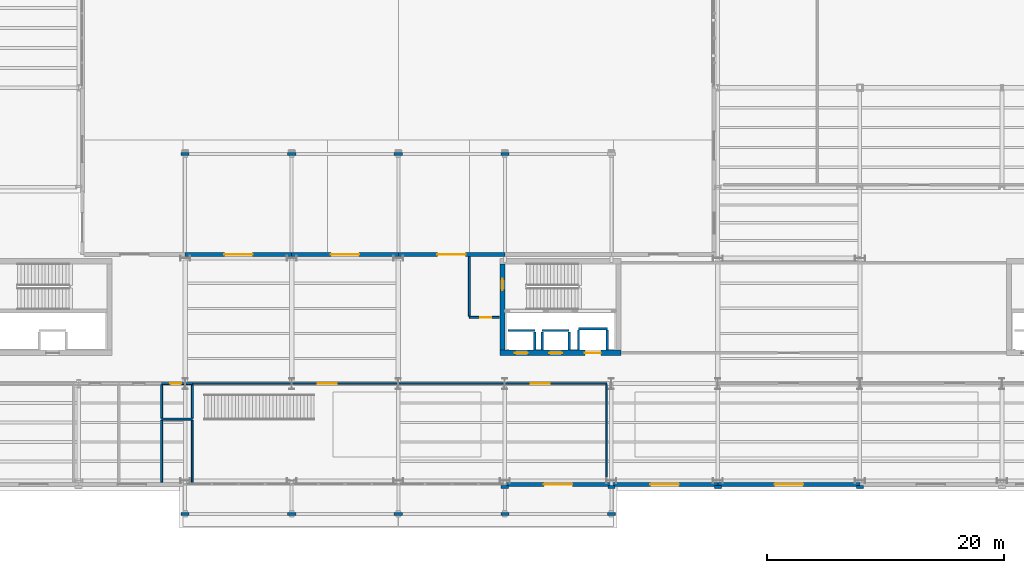
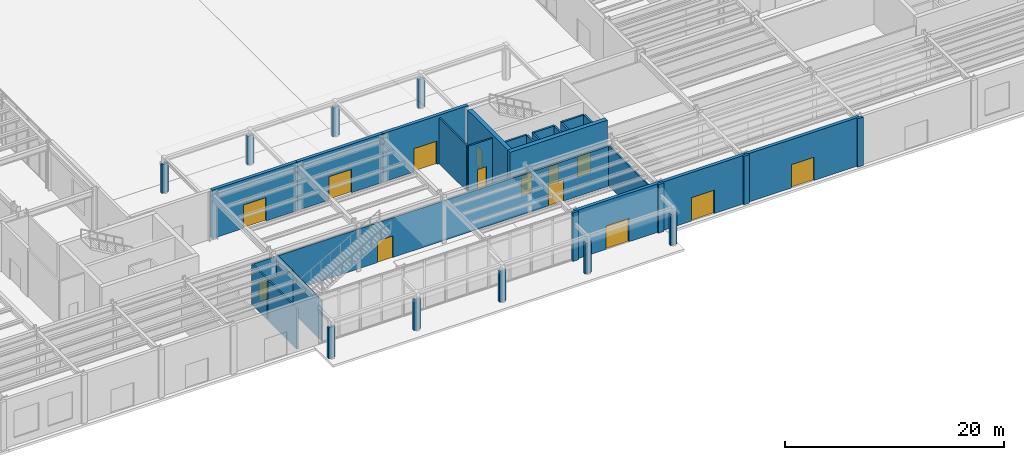
# One storey, part 73 of 94: 39 walls, 14 doors, 14 openings.
"""IFC4 building model written with IfcOpenShell, lengths in metres."""

from ifc_helpers import new_model, si_unit, direction, frame, frame_2d, origin, place, context, subcontext, project, spatial, rectangle, extrude, material, layer, layer_set, type_object, element, fill, save


model = new_model("IFC4")

# Units and contexts
model_context = context("Model", 3, precision=1e-05, world=origin(), true_north=direction((0.0, 1.0)))
body_context = subcontext(model_context, "Body", "Model", "MODEL_VIEW")
ifc_project = project(units=[si_unit("LENGTHUNIT", "METRE"), si_unit("AREAUNIT", "SQUARE_METRE"), si_unit("VOLUMEUNIT", "CUBIC_METRE"), si_unit("PLANEANGLEUNIT", "RADIAN"), si_unit("MASSUNIT", "GRAM", prefix="KILO")], contexts=[model_context])

# Site, building, storey
site_placement = place(None, origin())
site = spatial("IfcSite", under=ifc_project, at=site_placement, CompositionType="ELEMENT")
building_placement = place(site_placement, origin())
building = spatial("IfcBuilding", under=site, at=building_placement, Name="Sollismere Congress Hotel", CompositionType="ELEMENT")
storey_placement = place(building_placement, origin())
storey = spatial("IfcBuildingStorey", under=building, at=storey_placement, Name="L00", CompositionType="ELEMENT", Elevation=0.0)

# Wall, opening, door
ifc_material_1 = material(Name="Colorado Buff Sandstone and Limestone Backup C40/50", Category="masonry")
ifc_layer_1 = layer(ifc_material_1, 0.340087890625, Name="Colorado Buff Sandstone and Limestone Backup C40/50")
ifc_layer_set_1 = layer_set([ifc_layer_1], Name="Colorado Buff Sandstone and Limestone Backup C40/50")
wall_type_1 = type_object("IfcWallType", Name="WL-EXT340", PredefinedType="STANDARD", material=ifc_layer_set_1)
wall_1_placement = place(storey_placement, frame((94.0, -0.31005859375, 0.0), z_axis=(0.0, 0.0, 1.0), x_axis=(1.0, 0.0, 0.0)))
wall_1 = element("IfcWall", 1, at=wall_1_placement, inside=storey, type_object=wall_type_1, Name="Exterior wall EW-L00-234", PredefinedType="STANDARD", context=body_context, shape_type="SweptSolid", body=[
    extrude(rectangle(XDim=9.0, YDim=0.340087890625, at=frame_2d((4.5, 0.0))), origin(), (0.0, 0.0, 1.0), 5.39990234375),
])
opening_1_placement = place(wall_1_placement, frame((3.300048828125, 0.0, 0.0)))
opening_1 = element("IfcOpeningElement", 2, at=opening_1_placement, cuts=wall_1, Name="Opening D-L00-E19", PredefinedType="OPENING", context=body_context, shape_type="SweptSolid", body=[
    extrude(rectangle(XDim=2.39990234375, YDim=2.60009765625, at=frame_2d((1.199951171875, 1.300048828125))), frame((0.0, 0.179931640625, 0.0), z_axis=(0.0, -1.0, 0.0), x_axis=(1.0, 0.0, 0.0)), (0.0, 0.0, 1.0), 0.360107421875),
])
ifc_material_2 = material(Name="Thermally Broken Bronze-Anodized Aluminum & Laminated Glass", Category="aluminium")
door_type_1 = type_object("IfcDoorType", Name="DR-EX240", OperationType="DOUBLE_DOOR_SINGLE_SWING", PredefinedType="DOOR", material=ifc_material_2)
door_1_placement = place(opening_1_placement, frame((2.39990234375, 0.0, 0.0), z_axis=(0.0, 0.0, 1.0), x_axis=(-1.0, 0.0, 0.0)))
door_1 = element("IfcDoor", 3, at=door_1_placement, inside=storey, type_object=door_type_1, Name="DOR-D-L00-E19", OperationType="DOUBLE_DOOR_SINGLE_SWING", OverallHeight=2.60009765625, OverallWidth=2.39990234375, PredefinedType="DOOR", context=body_context, shape_type="SweptSolid", body=[
    extrude(rectangle(XDim=2.39990234375, YDim=2.60009765625, at=frame_2d((1.199951171875, 1.300048828125))), frame((0.0, 0.02490234375, 0.0), z_axis=(0.0, -1.0, 0.0), x_axis=(1.0, 0.0, 0.0)), (0.0, 0.0, 1.0), 0.050048828125),
])
fill(opening_1, door_1)

wall_2_placement = place(storey_placement, frame((103.0, -0.31005859375, 0.0), z_axis=(0.0, 0.0, 1.0), x_axis=(1.0, 0.0, 0.0)))
wall_2 = element("IfcWall", 4, at=wall_2_placement, inside=storey, type_object=wall_type_1, Name="Exterior wall EW-L00-236", PredefinedType="STANDARD", context=body_context, shape_type="SweptSolid", body=[
    extrude(rectangle(XDim=9.0, YDim=0.340087890625, at=frame_2d((4.5, 0.0))), origin(), (0.0, 0.0, 1.0), 5.39990234375),
])
opening_2_placement = place(wall_2_placement, frame((3.300048828125, 0.0, 0.0)))
opening_2 = element("IfcOpeningElement", 5, at=opening_2_placement, cuts=wall_2, Name="Opening D-L00-E20", PredefinedType="OPENING", context=body_context, shape_type="SweptSolid", body=[
    extrude(rectangle(XDim=2.39990234375, YDim=2.60009765625, at=frame_2d((1.199951171875, 1.300048828125))), frame((0.0, 0.179931640625, 0.0), z_axis=(0.0, -1.0, 0.0), x_axis=(1.0, 0.0, 0.0)), (0.0, 0.0, 1.0), 0.360107421875),
])
door_2_placement = place(opening_2_placement, frame((2.39990234375, 0.0, 0.0), z_axis=(0.0, 0.0, 1.0), x_axis=(-1.0, 0.0, 0.0)))
door_2 = element("IfcDoor", 6, at=door_2_placement, inside=storey, type_object=door_type_1, Name="DOR-D-L00-E20", OperationType="DOUBLE_DOOR_SINGLE_SWING", OverallHeight=2.60009765625, OverallWidth=2.39990234375, PredefinedType="DOOR", context=body_context, shape_type="SweptSolid", body=[
    extrude(rectangle(XDim=2.39990234375, YDim=2.60009765625, at=frame_2d((1.199951171875, 1.300048828125))), frame((0.0, 0.02490234375, 0.0), z_axis=(0.0, -1.0, 0.0), x_axis=(1.0, 0.0, 0.0)), (0.0, 0.0, 1.0), 0.050048828125),
])
fill(opening_2, door_2)

wall_3_placement = place(storey_placement, frame((112.0, -0.31005859375, 0.0), z_axis=(0.0, 0.0, 1.0), x_axis=(1.0, 0.0, 0.0)))
wall_3 = element("IfcWall", 7, at=wall_3_placement, inside=storey, type_object=wall_type_1, Name="Exterior wall EW-L00-238", PredefinedType="STANDARD", context=body_context, shape_type="SweptSolid", body=[
    extrude(rectangle(XDim=12.0, YDim=0.340087890625, at=frame_2d((6.0, 0.0))), origin(), (0.0, 0.0, 1.0), 5.39990234375),
])
opening_3_placement = place(wall_3_placement, frame((4.800048828125, 0.0, 0.0)))
opening_3 = element("IfcOpeningElement", 8, at=opening_3_placement, cuts=wall_3, Name="Opening D-L00-E21", PredefinedType="OPENING", context=body_context, shape_type="SweptSolid", body=[
    extrude(rectangle(XDim=2.39990234375, YDim=2.60009765625, at=frame_2d((1.199951171875, 1.300048828125))), frame((0.0, 0.179931640625, 0.0), z_axis=(0.0, -1.0, 0.0), x_axis=(1.0, 0.0, 0.0)), (0.0, 0.0, 1.0), 0.360107421875),
])
door_3_placement = place(opening_3_placement, frame((2.39990234375, 0.0, 0.0), z_axis=(0.0, 0.0, 1.0), x_axis=(-1.0, 0.0, 0.0)))
door_3 = element("IfcDoor", 9, at=door_3_placement, inside=storey, type_object=door_type_1, Name="DOR-D-L00-E21", OperationType="DOUBLE_DOOR_SINGLE_SWING", OverallHeight=2.60009765625, OverallWidth=2.39990234375, PredefinedType="DOOR", context=body_context, shape_type="SweptSolid", body=[
    extrude(rectangle(XDim=2.39990234375, YDim=2.60009765625, at=frame_2d((1.199951171875, 1.300048828125))), frame((0.0, 0.02490234375, 0.0), z_axis=(0.0, -1.0, 0.0), x_axis=(1.0, 0.0, 0.0)), (0.0, 0.0, 1.0), 0.050048828125),
])
fill(opening_3, door_3)

wall_4_placement = place(storey_placement, frame((76.0, 19.110107421875, 0.0), z_axis=(0.0, 0.0, 1.0), x_axis=(-1.0, 0.0, 0.0)))
wall_4 = element("IfcWall", 10, at=wall_4_placement, inside=storey, type_object=wall_type_1, Name="Exterior wall EW-L00-265", PredefinedType="STANDARD", context=body_context, shape_type="SweptSolid", body=[
    extrude(rectangle(XDim=9.0, YDim=0.340087890625, at=frame_2d((4.5, 0.0))), origin(), (0.0, 0.0, 1.0), 5.39990234375),
])
opening_4_placement = place(wall_4_placement, frame((3.300048828125, 0.0, 0.0)))
opening_4 = element("IfcOpeningElement", 11, at=opening_4_placement, cuts=wall_4, Name="Opening D-L00-E26", PredefinedType="OPENING", context=body_context, shape_type="SweptSolid", body=[
    extrude(rectangle(XDim=2.39990234375, YDim=2.60009765625, at=frame_2d((1.199951171875, 1.300048828125))), frame((0.0, 0.179931640625, 0.0), z_axis=(0.0, -1.0, 0.0), x_axis=(1.0, 0.0, 0.0)), (0.0, 0.0, 1.0), 0.360107421875),
])
door_4_placement = place(opening_4_placement, origin())
door_4 = element("IfcDoor", 12, at=door_4_placement, inside=storey, type_object=door_type_1, Name="DOR-D-L00-E26", OperationType="DOUBLE_DOOR_SINGLE_SWING", OverallHeight=2.60009765625, OverallWidth=2.39990234375, PredefinedType="DOOR", context=body_context, shape_type="SweptSolid", body=[
    extrude(rectangle(XDim=2.39990234375, YDim=2.60009765625, at=frame_2d((1.199951171875, 1.300048828125))), frame((0.0, 0.02490234375, 0.0), z_axis=(0.0, -1.0, 0.0), x_axis=(1.0, 0.0, 0.0)), (0.0, 0.0, 1.0), 0.050048828125),
])
fill(opening_4, door_4)

wall_5_placement = place(storey_placement, frame((85.0, 19.110107421875, 0.0), z_axis=(0.0, 0.0, 1.0), x_axis=(-1.0, 0.0, 0.0)))
wall_5 = element("IfcWall", 13, at=wall_5_placement, inside=storey, type_object=wall_type_1, Name="Exterior wall EW-L00-266", PredefinedType="STANDARD", context=body_context, shape_type="SweptSolid", body=[
    extrude(rectangle(XDim=9.0, YDim=0.340087890625, at=frame_2d((4.5, 0.0))), origin(), (0.0, 0.0, 1.0), 5.39990234375),
])
opening_5_placement = place(wall_5_placement, frame((3.300048828125, 0.0, 0.0)))
opening_5 = element("IfcOpeningElement", 14, at=opening_5_placement, cuts=wall_5, Name="Opening D-L00-E27", PredefinedType="OPENING", context=body_context, shape_type="SweptSolid", body=[
    extrude(rectangle(XDim=2.39990234375, YDim=2.60009765625, at=frame_2d((1.199951171875, 1.300048828125))), frame((0.0, 0.179931640625, 0.0), z_axis=(0.0, -1.0, 0.0), x_axis=(1.0, 0.0, 0.0)), (0.0, 0.0, 1.0), 0.360107421875),
])
door_5_placement = place(opening_5_placement, origin())
door_5 = element("IfcDoor", 15, at=door_5_placement, inside=storey, type_object=door_type_1, Name="DOR-D-L00-E27", OperationType="DOUBLE_DOOR_SINGLE_SWING", OverallHeight=2.60009765625, OverallWidth=2.39990234375, PredefinedType="DOOR", context=body_context, shape_type="SweptSolid", body=[
    extrude(rectangle(XDim=2.39990234375, YDim=2.60009765625, at=frame_2d((1.199951171875, 1.300048828125))), frame((0.0, 0.02490234375, 0.0), z_axis=(0.0, -1.0, 0.0), x_axis=(1.0, 0.0, 0.0)), (0.0, 0.0, 1.0), 0.050048828125),
])
fill(opening_5, door_5)

wall_6_placement = place(storey_placement, frame((94.0, 19.110107421875, 0.0), z_axis=(0.0, 0.0, 1.0), x_axis=(-1.0, 0.0, 0.0)))
wall_6 = element("IfcWall", 16, at=wall_6_placement, inside=storey, type_object=wall_type_1, Name="Exterior wall EW-L00-267", PredefinedType="STANDARD", context=body_context, shape_type="SweptSolid", body=[
    extrude(rectangle(XDim=9.0, YDim=0.340087890625, at=frame_2d((4.5, 0.0))), origin(), (0.0, 0.0, 1.0), 5.39990234375),
])
opening_6_placement = place(wall_6_placement, frame((3.300048828125, 0.0, 0.0)))
opening_6 = element("IfcOpeningElement", 17, at=opening_6_placement, cuts=wall_6, Name="Opening D-L00-E28", PredefinedType="OPENING", context=body_context, shape_type="SweptSolid", body=[
    extrude(rectangle(XDim=2.39990234375, YDim=2.60009765625, at=frame_2d((1.199951171875, 1.300048828125))), frame((0.0, 0.179931640625, 0.0), z_axis=(0.0, -1.0, 0.0), x_axis=(1.0, 0.0, 0.0)), (0.0, 0.0, 1.0), 0.360107421875),
])
door_6_placement = place(opening_6_placement, origin())
door_6 = element("IfcDoor", 18, at=door_6_placement, inside=storey, type_object=door_type_1, Name="DOR-D-L00-E28", OperationType="DOUBLE_DOOR_SINGLE_SWING", OverallHeight=2.60009765625, OverallWidth=2.39990234375, PredefinedType="DOOR", context=body_context, shape_type="SweptSolid", body=[
    extrude(rectangle(XDim=2.39990234375, YDim=2.60009765625, at=frame_2d((1.199951171875, 1.300048828125))), frame((0.0, 0.02490234375, 0.0), z_axis=(0.0, -1.0, 0.0), x_axis=(1.0, 0.0, 0.0)), (0.0, 0.0, 1.0), 0.050048828125),
])
fill(opening_6, door_6)

# Walls
ifc_material_3 = material(Name="Carved Travertine Pilaster & Frieze Assembly", Category="masonry")
ifc_layer_2 = layer(ifc_material_3, 0.260009765625, Name="Carved Travertine Pilaster & Frieze Assembly")
ifc_layer_set_2 = layer_set([ifc_layer_2], Name="Carved Travertine Pilaster & Frieze Assembly")
wall_type_2 = type_object("IfcWallType", Name="WL-PIL280", PredefinedType="ELEMENTEDWALL", material=ifc_layer_set_2)
for number, where, z_axis, x_axis, name in (
    (19, (66.659912109375, 27.60009765625, 0.0), (0.0, 0.0, 1.0), (1.0, 0.0, 0.0), "Exterior wall EW-L00-216"),
    (20, (75.659912109375, 27.60009765625, 0.0), (0.0, 0.0, 1.0), (1.0, 0.0, 0.0), "Exterior wall EW-L00-217"),
    (21, (84.659912109375, 27.60009765625, 0.0), (0.0, 0.0, 1.0), (1.0, 0.0, 0.0), "Exterior wall EW-L00-218"),
    (22, (93.659912109375, 27.60009765625, 0.0), (0.0, 0.0, 1.0), (1.0, 0.0, 0.0), "Exterior wall EW-L00-219"),
):
    element("IfcWall", number, at=place(storey_placement, frame(where, z_axis=z_axis, x_axis=x_axis)), inside=storey, type_object=wall_type_2, Name=name, PredefinedType="ELEMENTEDWALL", context=body_context, shape_type="SweptSolid", body=[
        extrude(rectangle(XDim=0.68017578125, YDim=0.260009765625, at=frame_2d((0.340087890625, 0.0))), origin(), (0.0, 0.0, 1.0), 3.179931640625),
    ])
for number, where, z_axis, x_axis, name in (
    (23, (66.659912109375, -2.800048828125, 0.0), (0.0, 0.0, 1.0), (1.0, 0.0, 0.0), "Exterior wall EW-L00-221"),
    (24, (75.659912109375, -2.800048828125, 0.0), (0.0, 0.0, 1.0), (1.0, 0.0, 0.0), "Exterior wall EW-L00-222"),
    (25, (84.659912109375, -2.800048828125, 0.0), (0.0, 0.0, 1.0), (1.0, 0.0, 0.0), "Exterior wall EW-L00-223"),
    (26, (93.659912109375, -2.800048828125, 0.0), (0.0, 0.0, 1.0), (1.0, 0.0, 0.0), "Exterior wall EW-L00-224"),
    (27, (102.659912109375, -2.800048828125, 0.0), (0.0, 0.0, 1.0), (1.0, 0.0, 0.0), "Exterior wall EW-L00-225"),
):
    element("IfcWall", number, at=place(storey_placement, frame(where, z_axis=z_axis, x_axis=x_axis)), inside=storey, type_object=wall_type_2, Name=name, PredefinedType="ELEMENTEDWALL", context=body_context, shape_type="SweptSolid", body=[
        extrude(rectangle(XDim=0.68017578125, YDim=0.260009765625, at=frame_2d((0.340087890625, 0.0))), origin(), (0.0, 0.0, 1.0), 3.449951171875),
    ])
for number, where, z_axis, x_axis, name in (
    (28, (93.699951171875, -0.52001953125, 0.0), (0.0, 0.0, 1.0), (1.0, 0.0, 0.0), "Exterior wall EW-L00-235"),
    (29, (102.699951171875, -0.52001953125, 0.0), (0.0, 0.0, 1.0), (1.0, 0.0, 0.0), "Exterior wall EW-L00-237"),
    (30, (111.699951171875, -0.52001953125, 0.0), (0.0, 0.0, 1.0), (1.0, 0.0, 0.0), "Exterior wall EW-L00-239"),
    (31, (123.699951171875, -0.52001953125, 0.0), (0.0, 0.0, 1.0), (1.0, 0.0, 0.0), "Exterior wall EW-L00-241"),
):
    element("IfcWall", number, at=place(storey_placement, frame(where, z_axis=z_axis, x_axis=x_axis)), inside=storey, type_object=wall_type_2, Name=name, PredefinedType="ELEMENTEDWALL", context=body_context, shape_type="SweptSolid", body=[
        extrude(rectangle(XDim=0.60009765625, YDim=0.260009765625, at=frame_2d((0.300048828125, 0.0))), origin(), (0.0, 0.0, 1.0), 5.39990234375),
    ])
ifc_material_4 = material(Name="Moisture-Resistant Shaft Gypsum Assembly")
ifc_layer_3 = layer(ifc_material_4, 0.199951171875, Name="Moisture-Resistant Shaft Gypsum Assembly")
ifc_layer_set_3 = layer_set([ifc_layer_3], Name="Moisture-Resistant Shaft Gypsum Assembly")
wall_type_3 = type_object("IfcWallType", Name="WL-PLM200", PredefinedType="PLUMBINGWALL", material=ifc_layer_set_3)
wall_7_placement = place(storey_placement, frame((94.2548828125, 12.68994140625, 0.0), z_axis=(0.0, 0.0, 1.0), x_axis=(1.0, 0.0, 0.0)))
element("IfcWall", 32, at=wall_7_placement, inside=storey, type_object=wall_type_3, Name="Interior wall IW-L00-0227", PredefinedType="PLUMBINGWALL", context=body_context, shape_type="SweptSolid", body=[
    extrude(rectangle(XDim=2.2900390625, YDim=0.199951171875, at=frame_2d((1.14501953125, 0.0))), origin(), (0.0, 0.0, 1.0), 5.090087890625),
])
wall_8_placement = place(storey_placement, frame((96.544921875, 11.037109375, 0.0), z_axis=(0.0, 0.0, 1.0), x_axis=(0.0, 1.0, 0.0)))
element("IfcWall", 33, at=wall_8_placement, inside=storey, type_object=wall_type_3, Name="Interior wall IW-L00-0228", PredefinedType="PLUMBINGWALL", context=body_context, shape_type="SweptSolid", body=[
    extrude(rectangle(XDim=1.540771484375, YDim=0.199951171875, at=frame_2d((0.7705078125, 0.0))), origin(), (0.0, 0.0, 1.0), 5.090087890625),
])
wall_9_placement = place(storey_placement, frame((97.155029296875, 12.68994140625, 0.0), z_axis=(0.0, 0.0, 1.0), x_axis=(1.0, 0.0, 0.0)))
element("IfcWall", 34, at=wall_9_placement, inside=storey, type_object=wall_type_3, Name="Interior wall IW-L00-0229", PredefinedType="PLUMBINGWALL", context=body_context, shape_type="SweptSolid", body=[
    extrude(rectangle(XDim=2.2900390625, YDim=0.199951171875, at=frame_2d((1.14501953125, 0.0))), origin(), (0.0, 0.0, 1.0), 5.090087890625),
])
for number, where, z_axis, x_axis, name in (
    (35, (97.155029296875, 11.037109375, 0.0), (0.0, 0.0, 1.0), (0.0, 1.0, 0.0), "Interior wall IW-L00-0230"),
    (36, (99.445068359375, 11.037109375, 0.0), (0.0, 0.0, 1.0), (0.0, 1.0, 0.0), "Interior wall IW-L00-0231"),
):
    element("IfcWall", number, at=place(storey_placement, frame(where, z_axis=z_axis, x_axis=x_axis)), inside=storey, type_object=wall_type_3, Name=name, PredefinedType="PLUMBINGWALL", context=body_context, shape_type="SweptSolid", body=[
        extrude(rectangle(XDim=1.540771484375, YDim=0.199951171875, at=frame_2d((0.7705078125, 0.0))), origin(), (0.0, 0.0, 1.0), 5.090087890625),
    ])
wall_10_placement = place(storey_placement, frame((100.22998046875, 12.844970703125, 0.0), z_axis=(0.0, 0.0, 1.0), x_axis=(1.0, 0.0, 0.0)))
element("IfcWall", 37, at=wall_10_placement, inside=storey, type_object=wall_type_3, Name="Interior wall IW-L00-0232", PredefinedType="PLUMBINGWALL", context=body_context, shape_type="SweptSolid", body=[
    extrude(rectangle(XDim=2.43994140625, YDim=0.199951171875, at=frame_2d((1.219970703125, 0.0))), origin(), (0.0, 0.0, 1.0), 5.090087890625),
])
for number, where, z_axis, x_axis, name in (
    (38, (100.22998046875, 11.037109375, 0.0), (0.0, 0.0, 1.0), (0.0, 1.0, 0.0), "Interior wall IW-L00-0233"),
    (39, (102.669921875, 11.037109375, 0.0), (0.0, 0.0, 1.0), (0.0, 1.0, 0.0), "Interior wall IW-L00-0234"),
):
    element("IfcWall", number, at=place(storey_placement, frame(where, z_axis=z_axis, x_axis=x_axis)), inside=storey, type_object=wall_type_3, Name=name, PredefinedType="PLUMBINGWALL", context=body_context, shape_type="SweptSolid", body=[
        extrude(rectangle(XDim=1.69580078125, YDim=0.199951171875, at=frame_2d((0.847900390625, 0.0))), origin(), (0.0, 0.0, 1.0), 5.090087890625),
    ])

# Wall, openings, doors
ifc_material_5 = material(Name="Fire-Rated Gypsum Partition")
ifc_layer_4 = layer(ifc_material_5, 0.139892578125, Name="Fire-Rated Gypsum Partition")
ifc_layer_set_4 = layer_set([ifc_layer_4], Name="Fire-Rated Gypsum Partition")
wall_type_4 = type_object("IfcWallType", Name="WL-PRT140R", PredefinedType="PARTITIONING", material=ifc_layer_set_4)
wall_11_placement = place(storey_placement, frame((67.60009765625, 8.199951171875, 0.0), z_axis=(0.0, 0.0, 1.0), x_axis=(1.0, 0.0, 0.0)))
wall_11 = element("IfcWall", 40, at=wall_11_placement, inside=storey, type_object=wall_type_4, Name="Interior wall IW-L00-0777", PredefinedType="PARTITIONING", context=body_context, shape_type="SweptSolid", body=[
    extrude(rectangle(XDim=35.0, YDim=0.139892578125, at=frame_2d((17.5, 0.0))), origin(), (0.0, 0.0, 1.0), 4.4189453125),
])
opening_7_placement = place(wall_11_placement, frame((10.60009765625, 0.0, 0.0)))
opening_7 = element("IfcOpeningElement", 41, at=opening_7_placement, cuts=wall_11, Name="Opening D-L00-0260", PredefinedType="OPENING", context=body_context, shape_type="SweptSolid", body=[
    extrude(rectangle(XDim=1.60009765625, YDim=2.39990234375, at=frame_2d((0.800048828125, 1.199951171875))), frame((0.0, 0.079833984375, 0.0), z_axis=(0.0, -1.0, 0.0), x_axis=(1.0, 0.0, 0.0)), (0.0, 0.0, 1.0), 0.159912109375),
])
opening_8_placement = place(wall_11_placement, frame((28.60009765625, 0.0, 0.0)))
opening_8 = element("IfcOpeningElement", 42, at=opening_8_placement, cuts=wall_11, Name="Opening D-L00-0261", PredefinedType="OPENING", context=body_context, shape_type="SweptSolid", body=[
    extrude(rectangle(XDim=1.60009765625, YDim=2.39990234375, at=frame_2d((0.800048828125, 1.199951171875))), frame((0.0, 0.079833984375, 0.0), z_axis=(0.0, -1.0, 0.0), x_axis=(1.0, 0.0, 0.0)), (0.0, 0.0, 1.0), 0.159912109375),
])
ifc_material_6 = material(Name="Acoustic Oak Double Meeting Door")
door_type_2 = type_object("IfcDoorType", Name="DR-MT160", OperationType="NOTDEFINED", PredefinedType="DOOR", material=ifc_material_6)
door_7_placement = place(opening_7_placement, origin())
door_7 = element("IfcDoor", 43, at=door_7_placement, inside=storey, type_object=door_type_2, Name="Interior door D-L00-0260", OperationType="DOUBLE_DOOR_SINGLE_SWING", OverallHeight=2.39990234375, OverallWidth=1.60009765625, PredefinedType="DOOR", context=body_context, shape_type="SweptSolid", body=[
    extrude(rectangle(XDim=1.60009765625, YDim=2.39990234375, at=frame_2d((0.800048828125, 1.199951171875))), frame((0.0, 0.02490234375, 0.0), z_axis=(0.0, -1.0, 0.0), x_axis=(1.0, 0.0, 0.0)), (0.0, 0.0, 1.0), 0.050048828125),
])
fill(opening_7, door_7)
door_8_placement = place(opening_8_placement, origin())
door_8 = element("IfcDoor", 44, at=door_8_placement, inside=storey, type_object=door_type_2, Name="Interior door D-L00-0261", OperationType="DOUBLE_DOOR_SINGLE_SWING", OverallHeight=2.39990234375, OverallWidth=1.60009765625, PredefinedType="DOOR", context=body_context, shape_type="SweptSolid", body=[
    extrude(rectangle(XDim=1.60009765625, YDim=2.39990234375, at=frame_2d((0.800048828125, 1.199951171875))), frame((0.0, 0.02490234375, 0.0), z_axis=(0.0, -1.0, 0.0), x_axis=(1.0, 0.0, 0.0)), (0.0, 0.0, 1.0), 0.050048828125),
])
fill(opening_8, door_8)

# Walls
wall_12_placement = place(storey_placement, frame((67.60009765625, -0.139892578125, 0.0), z_axis=(0.0, 0.0, 1.0), x_axis=(0.0, 1.0, 0.0)))
element("IfcWall", 45, at=wall_12_placement, inside=storey, type_object=wall_type_4, Name="Interior wall IW-L00-0824", PredefinedType="PARTITIONING", context=body_context, shape_type="SweptSolid", body=[
    extrude(rectangle(XDim=5.245361328125, YDim=0.139892578125, at=frame_2d((2.62255859375, 0.0))), origin(), (0.0, 0.0, 1.0), 4.47998046875),
])
wall_13_placement = place(storey_placement, frame((102.60009765625, -0.125, 0.0), z_axis=(0.0, 0.0, 1.0), x_axis=(0.0, 1.0, 0.0)))
element("IfcWall", 46, at=wall_13_placement, inside=storey, type_object=wall_type_4, Name="Interior wall IW-L00-0830", PredefinedType="PARTITIONING", context=body_context, shape_type="SweptSolid", body=[
    extrude(rectangle(XDim=8.242919921875, YDim=0.139892578125, at=frame_2d((4.12158203125, 0.0))), origin(), (0.0, 0.0, 1.0), 4.47998046875),
])
ifc_material_7 = material(Name="Fire-Rated Acoustic Gypsum Partition")
ifc_layer_5 = layer(ifc_material_7, 0.1650390625, Name="Fire-Rated Acoustic Gypsum Partition")
ifc_layer_set_5 = layer_set([ifc_layer_5], Name="Fire-Rated Acoustic Gypsum Partition")
wall_type_5 = type_object("IfcWallType", Name="WL-PRT165R", PredefinedType="PARTITIONING", material=ifc_layer_set_5)
wall_14_placement = place(storey_placement, frame((65.0, 5.199951171875, 0.0), z_axis=(0.0, 0.0, 1.0), x_axis=(1.0, 0.0, 0.0)))
element("IfcWall", 47, at=wall_14_placement, inside=storey, type_object=wall_type_5, Name="Interior wall IW-L00-0772", PredefinedType="PARTITIONING", context=body_context, shape_type="SweptSolid", body=[
    extrude(rectangle(XDim=2.60009765625, YDim=0.1650390625, at=frame_2d((1.300048828125, 0.0))), origin(), (0.0, 0.0, 1.0), 4.56396484375),
])

# Wall, opening, door
wall_15_placement = place(storey_placement, frame((65.0, 8.199951171875, 0.0), z_axis=(0.0, 0.0, 1.0), x_axis=(1.0, 0.0, 0.0)))
wall_15 = element("IfcWall", 48, at=wall_15_placement, inside=storey, type_object=wall_type_5, Name="Interior wall IW-L00-0776", PredefinedType="PARTITIONING", context=body_context, shape_type="SweptSolid", body=[
    extrude(rectangle(XDim=2.60009765625, YDim=0.1650390625, at=frame_2d((1.300048828125, 0.0))), origin(), (0.0, 0.0, 1.0), 4.4189453125),
])
opening_9_placement = place(wall_15_placement, frame((0.719970703125, 0.0, 0.0)))
opening_9 = element("IfcOpeningElement", 49, at=opening_9_placement, cuts=wall_15, Name="Opening D-L00-0259", PredefinedType="OPENING", context=body_context, shape_type="SweptSolid", body=[
    extrude(rectangle(XDim=0.9599609375, YDim=2.14990234375, at=frame_2d((0.47998046875, 1.074951171875))), frame((0.0, 0.092529296875, 0.0), z_axis=(0.0, -1.0, 0.0), x_axis=(1.0, 0.0, 0.0)), (0.0, 0.0, 1.0), 0.18505859375),
])
ifc_material_8 = material(Name="Fire-Rated Accessible Restroom Door")
door_type_3 = type_object("IfcDoorType", Name="DR-AWC01", OperationType="NOTDEFINED", PredefinedType="DOOR", material=ifc_material_8)
door_9_placement = place(opening_9_placement, origin())
door_9 = element("IfcDoor", 50, at=door_9_placement, inside=storey, type_object=door_type_3, Name="Interior door D-L00-0259", OperationType="SINGLE_SWING_RIGHT", OverallHeight=2.14990234375, OverallWidth=0.9599609375, PredefinedType="DOOR", context=body_context, shape_type="SweptSolid", body=[
    extrude(rectangle(XDim=0.9599609375, YDim=2.14990234375, at=frame_2d((0.47998046875, 1.074951171875))), frame((0.0, 0.02490234375, 0.0), z_axis=(0.0, -1.0, 0.0), x_axis=(1.0, 0.0, 0.0)), (0.0, 0.0, 1.0), 0.050048828125),
])
fill(opening_9, door_9)

wall_16_placement = place(storey_placement, frame((91.0, 13.800048828125, 0.0), z_axis=(0.0, 0.0, 1.0), x_axis=(1.0, 0.0, 0.0)))
wall_16 = element("IfcWall", 51, at=wall_16_placement, inside=storey, type_object=wall_type_5, Name="Interior wall IW-L00-0781", PredefinedType="PARTITIONING", context=body_context, shape_type="SweptSolid", body=[
    extrude(rectangle(XDim=2.550048828125, YDim=0.1650390625, at=frame_2d((1.27490234375, 0.0))), origin(), (0.0, 0.0, 1.0), 5.090087890625),
])
opening_10_placement = place(wall_16_placement, frame((0.925048828125, 0.0, 0.0)))
opening_10 = element("IfcOpeningElement", 52, at=opening_10_placement, cuts=wall_16, Name="Opening D-L00-0266", PredefinedType="OPENING", context=body_context, shape_type="SweptSolid", body=[
    extrude(rectangle(XDim=0.949951171875, YDim=2.14990234375, at=frame_2d((0.47509765625, 1.074951171875))), frame((0.0, 0.092529296875, 0.0), z_axis=(0.0, -1.0, 0.0), x_axis=(1.0, 0.0, 0.0)), (0.0, 0.0, 1.0), 0.18505859375),
])
ifc_material_9 = material(Name="Solid-Core Acoustic Walnut Guestroom Entry Door")
door_type_4 = type_object("IfcDoorType", Name="DR-KY02", OperationType="NOTDEFINED", PredefinedType="DOOR", material=ifc_material_9)
door_10_placement = place(opening_10_placement, origin())
door_10 = element("IfcDoor", 53, at=door_10_placement, inside=storey, type_object=door_type_4, Name="Interior door D-L00-0266", OperationType="SINGLE_SWING_RIGHT", OverallHeight=2.14990234375, OverallWidth=0.949951171875, PredefinedType="DOOR", context=body_context, shape_type="SweptSolid", body=[
    extrude(rectangle(XDim=0.949951171875, YDim=2.14990234375, at=frame_2d((0.47509765625, 1.074951171875))), frame((0.0, 0.02490234375, 0.0), z_axis=(0.0, -1.0, 0.0), x_axis=(1.0, 0.0, 0.0)), (0.0, 0.0, 1.0), 0.050048828125),
])
fill(opening_10, door_10)

# Walls
wall_17_placement = place(storey_placement, frame((65.0, -0.125, 0.0), z_axis=(0.0, 0.0, 1.0), x_axis=(0.0, 1.0, 0.0)))
element("IfcWall", 54, at=wall_17_placement, inside=storey, type_object=wall_type_5, Name="Interior wall IW-L00-0822", PredefinedType="PARTITIONING", context=body_context, shape_type="SweptSolid", body=[
    extrude(rectangle(XDim=5.23046875, YDim=0.1650390625, at=frame_2d((2.615234375, 0.0))), origin(), (0.0, 0.0, 1.0), 4.47998046875),
])
for number, where, z_axis, x_axis, name in (
    (55, (65.0, 5.29443359375, 0.0), (0.0, 0.0, 1.0), (0.0, 1.0, 0.0), "Interior wall IW-L00-0823"),
    (56, (67.60009765625, 5.29443359375, 0.0), (0.0, 0.0, 1.0), (0.0, 1.0, 0.0), "Interior wall IW-L00-0825"),
):
    element("IfcWall", number, at=place(storey_placement, frame(where, z_axis=z_axis, x_axis=x_axis)), inside=storey, type_object=wall_type_5, Name=name, PredefinedType="PARTITIONING", context=body_context, shape_type="SweptSolid", body=[
        extrude(rectangle(XDim=2.81103515625, YDim=0.1650390625, at=frame_2d((1.405517578125, 0.0))), origin(), (0.0, 0.0, 1.0), 4.5029296875),
    ])
wall_18_placement = place(storey_placement, frame((91.0, 13.89453125, 0.0), z_axis=(0.0, 0.0, 1.0), x_axis=(0.0, 1.0, 0.0)))
element("IfcWall", 57, at=wall_18_placement, inside=storey, type_object=wall_type_5, Name="Interior wall IW-L00-0829", PredefinedType="PARTITIONING", context=body_context, shape_type="SweptSolid", body=[
    extrude(rectangle(XDim=5.030517578125, YDim=0.1650390625, at=frame_2d((2.51513671875, 0.0))), origin(), (0.0, 0.0, 1.0), 5.090087890625),
])

# Wall, openings, doors
ifc_material_10 = material(Name="Concrete C50/60", Category="concrete")
ifc_layer_6 = layer(ifc_material_10, 0.449951171875, Name="Concrete C50/60")
ifc_layer_set_6 = layer_set([ifc_layer_6], Name="Concrete C50/60")
wall_type_6 = type_object("IfcWallType", Name="WL-SHR450", PredefinedType="SHEAR", material=ifc_layer_set_6)
wall_19_placement = place(storey_placement, frame((93.574951171875, 10.800048828125, 0.0), z_axis=(0.0, 0.0, 1.0), x_axis=(1.0, 0.0, 0.0)))
wall_19 = element("IfcWall", 58, at=wall_19_placement, inside=storey, type_object=wall_type_6, Name="Interior wall IW-L00-0222", PredefinedType="SHEAR", context=body_context, shape_type="SweptSolid", body=[
    extrude(rectangle(XDim=10.25, YDim=0.449951171875, at=frame_2d((5.125, 0.0))), origin(), (0.0, 0.0, 1.0), 5.39990234375),
])
opening_11_placement = place(wall_19_placement, frame((1.27490234375, 0.0, 0.0)))
opening_11 = element("IfcOpeningElement", 59, at=opening_11_placement, cuts=wall_19, Name="Opening LD-LP-03-L00", PredefinedType="OPENING", context=body_context, shape_type="SweptSolid", body=[
    extrude(rectangle(XDim=1.10009765625, YDim=2.199951171875, at=frame_2d((0.550048828125, 1.10009765625))), frame((0.0, 0.23486328125, 0.0), z_axis=(0.0, -1.0, 0.0), x_axis=(1.0, 0.0, 0.0)), (0.0, 0.0, 1.0), 0.469970703125),
])
opening_12_placement = place(wall_19_placement, frame((4.175048828125, 0.0, 0.0)))
opening_12 = element("IfcOpeningElement", 60, at=opening_12_placement, cuts=wall_19, Name="Opening LD-LP-04-L00", PredefinedType="OPENING", context=body_context, shape_type="SweptSolid", body=[
    extrude(rectangle(XDim=1.10009765625, YDim=2.199951171875, at=frame_2d((0.550048828125, 1.10009765625))), frame((0.0, 0.23486328125, 0.0), z_axis=(0.0, -1.0, 0.0), x_axis=(1.0, 0.0, 0.0)), (0.0, 0.0, 1.0), 0.469970703125),
])
opening_13_placement = place(wall_19_placement, frame((7.199951171875, 0.0, 0.0)))
opening_13 = element("IfcOpeningElement", 61, at=opening_13_placement, cuts=wall_19, Name="Opening LD-LS-01-L00", PredefinedType="OPENING", context=body_context, shape_type="SweptSolid", body=[
    extrude(rectangle(XDim=1.35009765625, YDim=2.300048828125, at=frame_2d((0.675048828125, 1.14990234375))), frame((0.0, 0.23486328125, 0.0), z_axis=(0.0, -1.0, 0.0), x_axis=(1.0, 0.0, 0.0)), (0.0, 0.0, 1.0), 0.469970703125),
])
ifc_material_11 = material(Name="Brushed Bronze Sliding Elevator Landing Door")
door_type_5 = type_object("IfcDoorType", Name="DR-LD110", OperationType="NOTDEFINED", PredefinedType="DOOR", material=ifc_material_11)
door_11_placement = place(opening_11_placement, origin())
door_11 = element("IfcDoor", 62, at=door_11_placement, inside=storey, type_object=door_type_5, Name="Elevator landing door LD-LP-03-L00", OperationType="SLIDING_TO_LEFT", OverallHeight=2.199951171875, OverallWidth=1.10009765625, PredefinedType="DOOR", context=body_context, shape_type="SweptSolid", body=[
    extrude(rectangle(XDim=1.10009765625, YDim=2.199951171875, at=frame_2d((0.550048828125, 1.10009765625))), frame((0.0, 0.02490234375, 0.0), z_axis=(0.0, -1.0, 0.0), x_axis=(1.0, 0.0, 0.0)), (0.0, 0.0, 1.0), 0.050048828125),
])
fill(opening_11, door_11)
door_12_placement = place(opening_12_placement, origin())
door_12 = element("IfcDoor", 63, at=door_12_placement, inside=storey, type_object=door_type_5, Name="Elevator landing door LD-LP-04-L00", OperationType="SLIDING_TO_RIGHT", OverallHeight=2.199951171875, OverallWidth=1.10009765625, PredefinedType="DOOR", context=body_context, shape_type="SweptSolid", body=[
    extrude(rectangle(XDim=1.10009765625, YDim=2.199951171875, at=frame_2d((0.550048828125, 1.10009765625))), frame((0.0, 0.02490234375, 0.0), z_axis=(0.0, -1.0, 0.0), x_axis=(1.0, 0.0, 0.0)), (0.0, 0.0, 1.0), 0.050048828125),
])
fill(opening_12, door_12)
ifc_material_12 = material(Name="Heavy-Duty Stainless Sliding Service Landing Door")
door_type_6 = type_object("IfcDoorType", Name="DR-LD135", OperationType="NOTDEFINED", PredefinedType="DOOR", material=ifc_material_12)
door_13_placement = place(opening_13_placement, origin())
door_13 = element("IfcDoor", 64, at=door_13_placement, inside=storey, type_object=door_type_6, Name="Elevator landing door LD-LS-01-L00", OperationType="SLIDING_TO_LEFT", OverallHeight=2.300048828125, OverallWidth=1.35009765625, PredefinedType="DOOR", context=body_context, shape_type="SweptSolid", body=[
    extrude(rectangle(XDim=1.35009765625, YDim=2.300048828125, at=frame_2d((0.675048828125, 1.14990234375))), frame((0.0, 0.02490234375, 0.0), z_axis=(0.0, -1.0, 0.0), x_axis=(1.0, 0.0, 0.0)), (0.0, 0.0, 1.0), 0.050048828125),
])
fill(opening_13, door_13)

# Wall, opening, door
wall_20_placement = place(storey_placement, frame((93.800048828125, 18.324951171875, 0.0), z_axis=(0.0, 0.0, 1.0), x_axis=(0.0, -1.0, 0.0)))
wall_20 = element("IfcWall", 65, at=wall_20_placement, inside=storey, type_object=wall_type_6, Name="Interior wall IW-L00-0224", PredefinedType="SHEAR", context=body_context, shape_type="SweptSolid", body=[
    extrude(rectangle(XDim=7.300048828125, YDim=0.449951171875, at=frame_2d((3.64990234375, 0.0))), origin(), (0.0, 0.0, 1.0), 5.39990234375),
])
opening_14_placement = place(wall_20_placement, frame((1.27490234375, 0.0, 0.0)))
opening_14 = element("IfcOpeningElement", 66, at=opening_14_placement, cuts=wall_20, Name="Opening D-ST-02-L00", PredefinedType="OPENING", context=body_context, shape_type="SweptSolid", body=[
    extrude(rectangle(XDim=0.949951171875, YDim=2.199951171875, at=frame_2d((0.47509765625, 1.10009765625))), frame((0.0, 0.23486328125, 0.0), z_axis=(0.0, -1.0, 0.0), x_axis=(1.0, 0.0, 0.0)), (0.0, 0.0, 1.0), 0.469970703125),
])
ifc_material_13 = material(Name="Fire-Rated Insulated Steel Door", Category="steel")
door_type_7 = type_object("IfcDoorType", Name="DR-FD90", OperationType="NOTDEFINED", PredefinedType="DOOR", material=ifc_material_13)
door_14_placement = place(opening_14_placement, frame((0.949951171875, 0.0, 0.0), z_axis=(0.0, 0.0, 1.0), x_axis=(-1.0, 0.0, 0.0)))
door_14 = element("IfcDoor", 67, at=door_14_placement, inside=storey, type_object=door_type_7, Name="Exit stair fire door D-ST-02-L00", OperationType="SINGLE_SWING_LEFT", OverallHeight=2.199951171875, OverallWidth=0.949951171875, PredefinedType="DOOR", context=body_context, shape_type="SweptSolid", body=[
    extrude(rectangle(XDim=0.949951171875, YDim=2.199951171875, at=frame_2d((0.47509765625, 1.10009765625))), frame((0.0, 0.02490234375, 0.0), z_axis=(0.0, -1.0, 0.0), x_axis=(1.0, 0.0, 0.0)), (0.0, 0.0, 1.0), 0.050048828125),
])
fill(opening_14, door_14)

save(model, "model.ifc")
